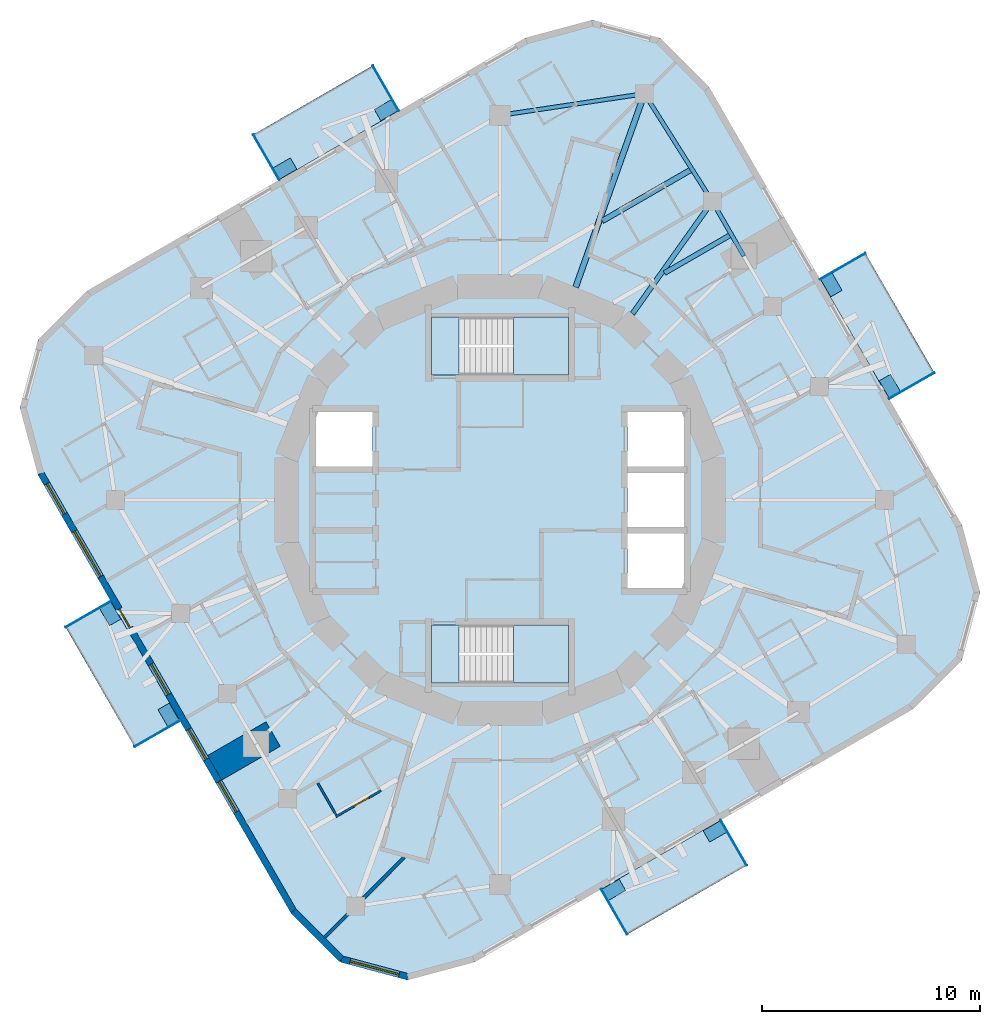
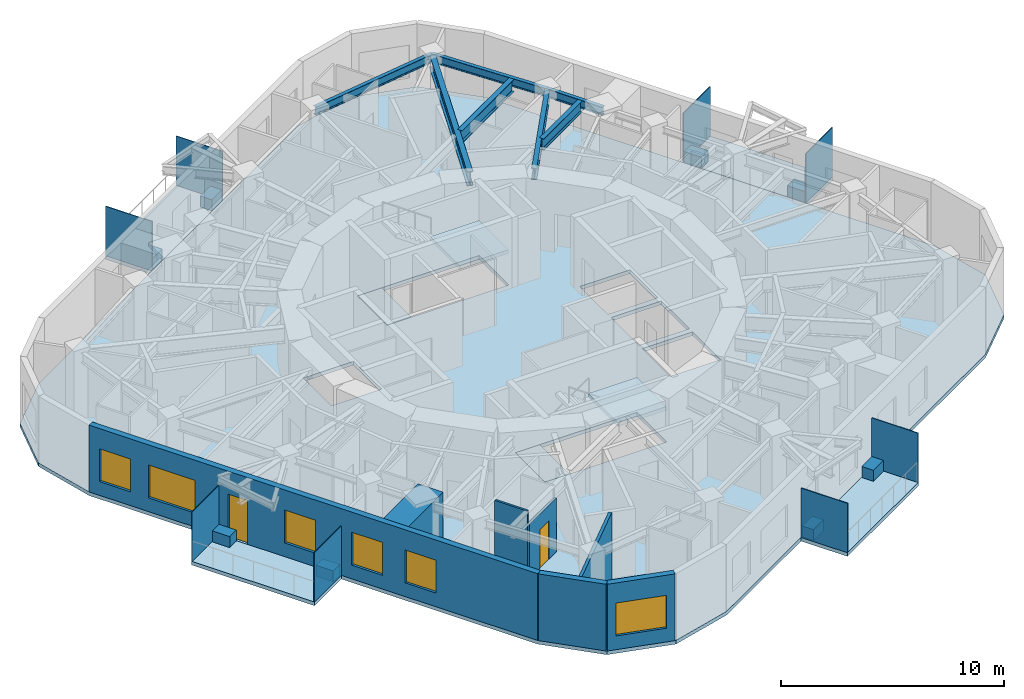
# One storey, part 3 of 11: 16 plates, 9 slabs, 7 beams, 7 walls, 6 windows, 2 doors, 8 openings, 2 elements without a shape of their own.
"""IFC4 building model written with IfcOpenShell, lengths in metres."""

from ifc_helpers import new_model, si_unit, direction, frame, frame_2d, origin, origin_2d, place, context, subcontext, project, spatial, polyline, rectangle, i_section, outline, extrude, material, layer, layer_set, material_profile, profile_set, type_object, element, fill, aggregate, save


model = new_model("IFC4")

# Units and contexts
model_context = context("Model", 3, precision=1e-05, world=origin(), true_north=direction((0.0, 1.0)))
body_context = subcontext(model_context, "Body", "Model", "MODEL_VIEW")
ifc_project = project(units=[si_unit("LENGTHUNIT", "METRE"), si_unit("AREAUNIT", "SQUARE_METRE"), si_unit("VOLUMEUNIT", "CUBIC_METRE"), si_unit("PLANEANGLEUNIT", "RADIAN"), si_unit("MASSUNIT", "GRAM", prefix="KILO")], contexts=[model_context])

# Site, building, storey
site_placement = place(None, origin())
site = spatial("IfcSite", under=ifc_project, at=site_placement, CompositionType="ELEMENT")
building_placement = place(site_placement, origin())
building = spatial("IfcBuilding", under=site, at=building_placement, Name="Nakasero Lantern House", CompositionType="ELEMENT")
storey_placement = place(building_placement, frame((0.0, 0.0, 250.050048828125)))
storey = spatial("IfcBuildingStorey", under=building, at=storey_placement, Name="L61", CompositionType="ELEMENT", Elevation=250.050048828125)

# Beams
ifc_material_1 = material(Name="Steel S355", Category="steel")
ifc_material_profile_1 = material_profile(ifc_material_1, i_section(OverallWidth=0.22900390625, OverallDepth=0.6123046875, WebThickness=0.011962890625, FlangeThickness=0.01953125, FilletRadius=0.0126953125, at=origin_2d()), Name="UB 610x229x125")
ifc_profile_set_1 = profile_set([ifc_material_profile_1], Name="Steel S355")
beam_type_1 = type_object("IfcBeamType", Name="Infill beam UB 610x229x125", PredefinedType="JOIST", material=ifc_profile_set_1)
beam_1_placement = place(storey_placement, frame((7.552001953125, 10.42236328125, 3.34375), z_axis=(0.866006607564, 0.500032554596, 0.0), x_axis=(-0.500032554596, 0.866006607564, 0.0)))
element("IfcBeam", 1, at=beam_1_placement, inside=storey, type_object=beam_type_1, Name="Infill beam L62 08.3", PredefinedType="JOIST", context=body_context, shape_type="SweptSolid", body=[
    extrude(i_section(OverallWidth=0.22900390625, OverallDepth=0.6123046875, WebThickness=0.011962890625, FlangeThickness=0.01953125, FilletRadius=0.0126953125, at=origin_2d()), origin(), (0.0, 0.0, 1.0), 3.452880859375),
])
ifc_material_2 = material(Name="Steel S355", Category="steel")
ifc_material_profile_2 = material_profile(ifc_material_2, i_section(OverallWidth=0.253662109375, OverallDepth=0.68359375, WebThickness=0.012451171875, FlangeThickness=0.01904296875, FilletRadius=0.01513671875, at=origin_2d()), Name="UB 686x254x140")
ifc_profile_set_2 = profile_set([ifc_material_profile_2], Name="Steel S355")
beam_type_2 = type_object("IfcBeamType", Name="Infill beam UB 686x254x140", PredefinedType="JOIST", material=ifc_profile_set_2)
beam_2_placement = place(storey_placement, frame((4.698486328125, 12.816162109375, 3.30810546875), z_axis=(0.866023347809, 0.500003561037, 0.0), x_axis=(-0.500003561037, 0.866023347809, 0.0)))
element("IfcBeam", 2, at=beam_2_placement, inside=storey, type_object=beam_type_2, Name="Infill beam L62 09.3", PredefinedType="JOIST", context=body_context, shape_type="SweptSolid", body=[
    extrude(i_section(OverallWidth=0.253662109375, OverallDepth=0.68359375, WebThickness=0.012451171875, FlangeThickness=0.01904296875, FilletRadius=0.01513671875, at=origin_2d()), origin(), (0.0, 0.0, 1.0), 4.6611328125),
])
ifc_material_3 = material(Name="Steel S355", Category="steel")
ifc_material_profile_3 = material_profile(ifc_material_3, i_section(OverallWidth=0.22900390625, OverallDepth=0.6123046875, WebThickness=0.011962890625, FlangeThickness=0.01953125, FilletRadius=0.0126953125, at=origin_2d()), Name="UB 610x229x125")
ifc_profile_set_3 = profile_set([ifc_material_profile_3], Name="Steel S355")
beam_type_3 = type_object("IfcBeamType", Name="Primary beam UB 610x229x125, span 6 to 9 m", PredefinedType="BEAM", material=ifc_profile_set_3)
beam_3_placement = place(storey_placement, frame((9.75048828125, 13.711669921875, 3.34375), z_axis=(-0.579504973637, -0.814968702178, 0.0), x_axis=(0.814968702178, -0.579504973637, 0.0)))
element("IfcBeam", 3, at=beam_3_placement, inside=storey, type_object=beam_type_3, Name="Primary beam L62 B6-C07", PredefinedType="BEAM", context=body_context, shape_type="SweptSolid", body=[
    extrude(i_section(OverallWidth=0.22900390625, OverallDepth=0.6123046875, WebThickness=0.011962890625, FlangeThickness=0.01953125, FilletRadius=0.0126953125, at=origin_2d()), origin(), (0.0, 0.0, 1.0), 6.320556640625),
])
ifc_material_4 = material(Name="Steel S355", Category="steel")
ifc_material_profile_4 = material_profile(ifc_material_4, i_section(OverallWidth=0.2666015625, OverallDepth=0.76220703125, WebThickness=0.014404296875, FlangeThickness=0.021484375, FilletRadius=0.0166015625, at=origin_2d()), Name="UB 762x267x173")
ifc_profile_set_4 = profile_set([ifc_material_profile_4], Name="Steel S355")
beam_type_4 = type_object("IfcBeamType", Name="Primary beam UB 762x267x173, span 9 to 12 m", PredefinedType="BEAM", material=ifc_profile_set_4)
beam_4_placement = place(storey_placement, frame((6.63525390625, 18.661376953125, 3.268798828125), z_axis=(-0.335006604588, -0.942215779364, 0.0), x_axis=(0.942215779364, -0.335006604588, 0.0)))
element("IfcBeam", 4, at=beam_4_placement, inside=storey, type_object=beam_type_4, Name="Primary beam L62 B6-C08", PredefinedType="BEAM", context=body_context, shape_type="SweptSolid", body=[
    extrude(i_section(OverallWidth=0.2666015625, OverallDepth=0.76220703125, WebThickness=0.014404296875, FlangeThickness=0.021484375, FilletRadius=0.0166015625, at=origin_2d()), origin(), (0.0, 0.0, 1.0), 9.4345703125),
])
ifc_material_5 = material(Name="Steel S355", Category="steel")
ifc_material_profile_5 = material_profile(ifc_material_5, i_section(OverallWidth=0.18994140625, OverallDepth=0.453369140625, WebThickness=0.008544921875, FlangeThickness=0.0126953125, FilletRadius=0.01025390625, at=origin_2d()), Name="UB 457x191x67")
ifc_profile_set_5 = profile_set([ifc_material_profile_5], Name="Steel S355")
beam_type_5 = type_object("IfcBeamType", Name="Ring beam UB 457x191x67", PredefinedType="BEAM", material=ifc_profile_set_5)
beam_5_placement = place(storey_placement, frame((9.75048828125, 13.711669921875, 3.42333984375), z_axis=(-0.532660471024, 0.846329027393, 0.0), x_axis=(-0.846329027393, -0.532660471024, 0.0)))
element("IfcBeam", 5, at=beam_5_placement, inside=storey, type_object=beam_type_5, Name="Ring beam L62 B6-C07", PredefinedType="BEAM", context=body_context, shape_type="SweptSolid", body=[
    extrude(i_section(OverallWidth=0.18994140625, OverallDepth=0.453369140625, WebThickness=0.008544921875, FlangeThickness=0.0126953125, FilletRadius=0.01025390625, at=origin_2d()), origin(), (0.0, 0.0, 1.0), 5.848388671875),
])
ifc_material_6 = material(Name="Steel S355", Category="steel")
ifc_material_profile_6 = material_profile(ifc_material_6, i_section(OverallWidth=0.19140625, OverallDepth=0.4599609375, WebThickness=0.010009765625, FlangeThickness=0.01611328125, FilletRadius=0.01025390625, at=origin_2d()), Name="UB 457x191x82")
ifc_profile_set_6 = profile_set([ifc_material_profile_6], Name="Steel S355")
beam_type_6 = type_object("IfcBeamType", Name="Ring beam UB 457x191x82", PredefinedType="BEAM", material=ifc_profile_set_6)
beam_6_placement = place(storey_placement, frame((11.200439453125, 11.200439453125, 3.419921875), z_axis=(-0.500023687443, 0.866011727401, 0.0), x_axis=(-0.866011727401, -0.500023687443, 0.0)))
element("IfcBeam", 6, at=beam_6_placement, inside=storey, type_object=beam_type_6, Name="Ring beam L62 B6-C06", PredefinedType="BEAM", context=body_context, shape_type="SweptSolid", body=[
    extrude(i_section(OverallWidth=0.19140625, OverallDepth=0.4599609375, WebThickness=0.010009765625, FlangeThickness=0.01611328125, FilletRadius=0.01025390625, at=origin_2d()), origin(), (0.0, 0.0, 1.0), 2.899658203125),
])
beam_7_placement = place(storey_placement, frame((6.63525390625, 18.661376953125, 3.419921875), z_axis=(-0.988956095107, -0.148208778253, 0.0), x_axis=(0.148208778253, -0.988956095107, 0.0)))
element("IfcBeam", 7, at=beam_7_placement, inside=storey, type_object=beam_type_6, Name="Ring beam L62 B6-C08", PredefinedType="BEAM", context=body_context, shape_type="SweptSolid", body=[
    extrude(i_section(OverallWidth=0.19140625, OverallDepth=0.4599609375, WebThickness=0.010009765625, FlangeThickness=0.01611328125, FilletRadius=0.01025390625, at=origin_2d()), origin(), (0.0, 0.0, 1.0), 6.70947265625),
])

# Plates
ifc_material_7 = material(Name="Aluminium 6063-T6", Category="aluminium")
ifc_layer_1 = layer(ifc_material_7, 0.60009765625)
ifc_layer_set_1 = layer_set([ifc_layer_1], Name="Balcony planter 600x900")
plate_type_1 = type_object("IfcPlateType", Name="Balcony planter 600x900", PredefinedType="USERDEFINED", material=ifc_layer_set_1)
for number, where, z_axis, x_axis, name in (
    (8, (17.901611328125, 5.2333984375, 0.0), (0.0, 0.0, 1.0), (0.866025403784, 0.5, 0.0), "Balcony PLANTER L61 BAL0A"),
    (9, (15.225830078125, 9.867919921875, 0.0), (0.0, 0.0, 1.0), (0.866025403784, 0.5, 0.0), "Balcony PLANTER L61 BAL0B"),
    (10, (-5.2333984375, 17.901611328125, 0.0), (0.0, 0.0, 1.0), (-0.5, 0.866025403784, 0.0), "Balcony PLANTER L61 BAL1A"),
    (11, (-9.867919921875, 15.225830078125, 0.0), (0.0, 0.0, 1.0), (-0.5, 0.866025403784, 0.0), "Balcony PLANTER L61 BAL1B"),
    (12, (-17.901611328125, -5.2333984375, 0.0), (0.0, 0.0, 1.0), (-0.866025403784, -0.5, 0.0), "Balcony PLANTER L61 BAL2A"),
    (13, (-15.225830078125, -9.867919921875, 0.0), (0.0, 0.0, 1.0), (-0.866025403784, -0.5, 0.0), "Balcony PLANTER L61 BAL2B"),
    (14, (5.2333984375, -17.901611328125, 0.0), (0.0, 0.0, 1.0), (0.5, -0.866025403784, 0.0), "Balcony PLANTER L61 BAL3A"),
    (15, (9.867919921875, -15.225830078125, 0.0), (0.0, 0.0, 1.0), (0.5, -0.866025403784, 0.0), "Balcony PLANTER L61 BAL3B"),
):
    element("IfcPlate", number, at=place(storey_placement, frame(where, z_axis=z_axis, x_axis=x_axis)), inside=storey, type_object=plate_type_1, Name=name, ObjectType="PLANTER", PredefinedType="USERDEFINED", context=body_context, shape_type="SweptSolid", body=[
        extrude(rectangle(XDim=0.60009765625, YDim=0.89990234375, at=origin_2d()), origin(), (0.0, 0.0, 1.0), 0.60009765625),
    ])
ifc_material_8 = material(Name="Aluminium 6063-T6", Category="aluminium")
ifc_layer_2 = layer(ifc_material_8, 0.0400390625)
ifc_layer_set_2 = layer_set([ifc_layer_2], Name="Balcony screen 2400x2700")
plate_type_2 = type_object("IfcPlateType", Name="Balcony screen 2400x2700", PredefinedType="SHEET", material=ifc_layer_set_2)
for number, where, z_axis, x_axis, name in (
    (16, (18.90869140625, 5.2490234375, 0.0), (0.0, 0.0, 1.0), (0.866025403784, 0.5, 0.0), "Balcony SCREEN L61 BAL0A"),
    (17, (15.7431640625, 10.732177734375, 0.0), (0.0, 0.0, 1.0), (0.866025403784, 0.5, 0.0), "Balcony SCREEN L61 BAL0B"),
    (18, (-5.2490234375, 18.90869140625, 0.0), (0.0, 0.0, 1.0), (-0.5, 0.866025403784, 0.0), "Balcony SCREEN L61 BAL1A"),
    (19, (-10.732177734375, 15.7431640625, 0.0), (0.0, 0.0, 1.0), (-0.5, 0.866025403784, 0.0), "Balcony SCREEN L61 BAL1B"),
    (20, (-18.90869140625, -5.2490234375, 0.0), (0.0, 0.0, 1.0), (-0.866025403784, -0.5, 0.0), "Balcony SCREEN L61 BAL2A"),
    (21, (-15.7431640625, -10.732177734375, 0.0), (0.0, 0.0, 1.0), (-0.866025403784, -0.5, 0.0), "Balcony SCREEN L61 BAL2B"),
    (22, (5.2490234375, -18.90869140625, 0.0), (0.0, 0.0, 1.0), (0.5, -0.866025403784, 0.0), "Balcony SCREEN L61 BAL3A"),
    (23, (10.732177734375, -15.7431640625, 0.0), (0.0, 0.0, 1.0), (0.5, -0.866025403784, 0.0), "Balcony SCREEN L61 BAL3B"),
):
    element("IfcPlate", number, at=place(storey_placement, frame(where, z_axis=z_axis, x_axis=x_axis)), inside=storey, type_object=plate_type_2, Name=name, PredefinedType="SHEET", context=body_context, shape_type="SweptSolid", body=[
        extrude(rectangle(XDim=2.39990234375, YDim=0.0400390625, at=origin_2d()), origin(), (0.0, 0.0, 1.0), 2.699951171875),
    ])

# Slabs
ifc_material_9 = material(Name="Concrete C35/45", Category="concrete")
ifc_layer_3 = layer(ifc_material_9, 0.199951171875)
ifc_layer_set_3 = layer_set([ifc_layer_3], Name="Balcony slab 200")
slab_type_1 = type_object("IfcSlabType", Name="Balcony slab 200", PredefinedType="USERDEFINED", material=ifc_layer_set_3)
slab_1_placement = place(storey_placement, frame((0.0, 0.0, -0.199951171875)))
element("IfcSlab", 24, at=slab_1_placement, inside=storey, type_object=slab_type_1, Name="Balcony L61 BAL0", ObjectType="BALCONY", PredefinedType="USERDEFINED", context=body_context, shape_type="SweptSolid", body=[
    extrude(outline(polyline([(17.879638671875, 4.6318359375), (19.9580078125, 5.831787109375), (16.772216796875, 11.349609375), (14.69384765625, 10.149658203125), (17.879638671875, 4.6318359375)])), origin(), (0.0, 0.0, 1.0), 0.199951171875),
])
slab_2_placement = place(storey_placement, frame((0.0, 0.0, -0.199951171875)))
element("IfcSlab", 25, at=slab_2_placement, inside=storey, type_object=slab_type_1, Name="Balcony L61 BAL1", ObjectType="BALCONY", PredefinedType="USERDEFINED", context=body_context, shape_type="SweptSolid", body=[
    extrude(outline(polyline([(-4.6318359375, 17.879638671875), (-5.831787109375, 19.9580078125), (-11.349609375, 16.772216796875), (-10.149658203125, 14.69384765625), (-4.6318359375, 17.879638671875)])), origin(), (0.0, 0.0, 1.0), 0.199951171875),
])
slab_3_placement = place(storey_placement, frame((0.0, 0.0, -0.199951171875)))
element("IfcSlab", 26, at=slab_3_placement, inside=storey, type_object=slab_type_1, Name="Balcony L61 BAL2", ObjectType="BALCONY", PredefinedType="USERDEFINED", context=body_context, shape_type="SweptSolid", body=[
    extrude(outline(polyline([(-17.879638671875, -4.6318359375), (-19.9580078125, -5.831787109375), (-16.772216796875, -11.349609375), (-14.69384765625, -10.149658203125), (-17.879638671875, -4.6318359375)])), origin(), (0.0, 0.0, 1.0), 0.199951171875),
])
slab_4_placement = place(storey_placement, frame((0.0, 0.0, -0.199951171875)))
element("IfcSlab", 27, at=slab_4_placement, inside=storey, type_object=slab_type_1, Name="Balcony L61 BAL3", ObjectType="BALCONY", PredefinedType="USERDEFINED", context=body_context, shape_type="SweptSolid", body=[
    extrude(outline(polyline([(4.6318359375, -17.879638671875), (5.831787109375, -19.9580078125), (11.349609375, -16.772216796875), (10.149658203125, -14.69384765625), (4.6318359375, -17.879638671875)])), origin(), (0.0, 0.0, 1.0), 0.199951171875),
])
ifc_material_10 = material(Name="Concrete C35/45", Category="concrete")
ifc_layer_4 = layer(ifc_material_10, 0.199951171875)
ifc_layer_set_4 = layer_set([ifc_layer_4], Name="Composite floor slab 200")
slab_type_2 = type_object("IfcSlabType", Name="Composite floor slab 200", PredefinedType="FLOOR", material=ifc_layer_set_4)
slab_5_placement = place(storey_placement, frame((0.0, 0.0, -0.199951171875)))
element("IfcSlab", 28, at=slab_5_placement, inside=storey, type_object=slab_type_2, Name="Floor slab L61", PredefinedType="FLOOR", context=body_context, shape_type="SweptSolid", body=[
    extrude(outline(polyline([(9.615234375, 18.94580078125), (7.345947265625, 21.21533203125), (4.245849609375, 22.0458984375), (1.14599609375, 21.21533203125), (-18.94580078125, 9.615234375), (-21.21533203125, 7.345947265625), (-22.0458984375, 4.245849609375), (-21.21533203125, 1.14599609375), (-9.615234375, -18.94580078125), (-7.345947265625, -21.21533203125), (-4.245849609375, -22.0458984375), (-1.14599609375, -21.21533203125), (18.94580078125, -9.615234375), (21.21533203125, -7.345947265625), (22.0458984375, -4.245849609375), (21.21533203125, -1.14599609375), (9.615234375, 18.94580078125)]), holes=[polyline([(-8.449951171875, 1.550048828125), (-5.85009765625, 1.550048828125), (-5.85009765625, 4.050048828125), (-8.449951171875, 4.050048828125), (-8.449951171875, 1.550048828125)]), polyline([(5.85009765625, -4.050048828125), (8.449951171875, -4.050048828125), (8.449951171875, -1.550048828125), (5.85009765625, -1.550048828125), (5.85009765625, -4.050048828125)]), polyline([(5.85009765625, -1.25), (8.449951171875, -1.25), (8.449951171875, 1.25), (5.85009765625, 1.25), (5.85009765625, -1.25)]), polyline([(5.85009765625, 1.550048828125), (8.449951171875, 1.550048828125), (8.449951171875, 4.050048828125), (5.85009765625, 4.050048828125), (5.85009765625, 1.550048828125)]), polyline([(-3.14990234375, 5.75), (3.14990234375, 5.75), (3.14990234375, 8.39990234375), (-3.14990234375, 8.39990234375), (-3.14990234375, 5.75)]), polyline([(-3.14990234375, -8.39990234375), (3.14990234375, -8.39990234375), (3.14990234375, -5.75), (-3.14990234375, -5.75), (-3.14990234375, -8.39990234375)])]), origin(), (0.0, 0.0, 1.0), 0.199951171875),
])

# Stair, slabs
ifc_material_11 = material(Name="Concrete C40/50", Category="concrete")
stair_type_1 = type_object("IfcStairType", Name="Escape stair ST1 22 risers", PredefinedType="HALF_TURN_STAIR", material=ifc_material_11)
stair_1_placement = place(storey_placement, origin())
stair_1 = element("IfcStair", 29, at=stair_1_placement, inside=storey, type_object=stair_type_1, Name="Escape stair ST1 L61", PredefinedType="HALF_TURN_STAIR")
ifc_material_12 = material(Name="Concrete C40/50", Category="concrete")
ifc_layer_5 = layer(ifc_material_12, 0.199951171875)
ifc_layer_set_5 = layer_set([ifc_layer_5], Name="Stair landing 200")
slab_type_3 = type_object("IfcSlabType", Name="Stair landing 200", PredefinedType="LANDING", material=ifc_layer_set_5)
slab_6_placement = place(storey_placement, frame((0.0, 0.0, -0.199951171875)))
slab_6 = element("IfcSlab", 30, at=slab_6_placement, type_object=slab_type_3, Name="ST1 landing 1", PredefinedType="LANDING", context=body_context, shape_type="SweptSolid", body=[
    extrude(outline(polyline([(-3.14990234375, 5.75), (-1.875, 5.75), (-1.875, 8.39990234375), (-3.14990234375, 8.39990234375), (-3.14990234375, 5.75)])), origin(), (0.0, 0.0, 1.0), 0.199951171875),
])
slab_7_placement = place(storey_placement, frame((0.0, 0.0, 1.724853515625)))
slab_7 = element("IfcSlab", 31, at=slab_7_placement, type_object=slab_type_3, Name="ST1 landing 2", PredefinedType="LANDING", context=body_context, shape_type="SweptSolid", body=[
    extrude(outline(polyline([(0.625, 5.75), (3.14990234375, 5.75), (3.14990234375, 8.39990234375), (0.625, 8.39990234375), (0.625, 5.75)])), origin(), (0.0, 0.0, 1.0), 0.2001953125),
])
aggregate(stair_1, [slab_6, slab_7])

ifc_material_13 = material(Name="Concrete C40/50", Category="concrete")
stair_type_2 = type_object("IfcStairType", Name="Escape stair ST2 22 risers", PredefinedType="HALF_TURN_STAIR", material=ifc_material_13)
stair_2_placement = place(storey_placement, origin())
stair_2 = element("IfcStair", 32, at=stair_2_placement, inside=storey, type_object=stair_type_2, Name="Escape stair ST2 L61", PredefinedType="HALF_TURN_STAIR")
slab_8_placement = place(storey_placement, frame((0.0, 0.0, -0.199951171875)))
slab_8 = element("IfcSlab", 33, at=slab_8_placement, type_object=slab_type_3, Name="ST2 landing 1", PredefinedType="LANDING", context=body_context, shape_type="SweptSolid", body=[
    extrude(outline(polyline([(-3.14990234375, -8.39990234375), (-1.875, -8.39990234375), (-1.875, -5.75), (-3.14990234375, -5.75), (-3.14990234375, -8.39990234375)])), origin(), (0.0, 0.0, 1.0), 0.199951171875),
])
slab_9_placement = place(storey_placement, frame((0.0, 0.0, 1.724853515625)))
slab_9 = element("IfcSlab", 34, at=slab_9_placement, type_object=slab_type_3, Name="ST2 landing 2", PredefinedType="LANDING", context=body_context, shape_type="SweptSolid", body=[
    extrude(outline(polyline([(0.625, -8.39990234375), (3.14990234375, -8.39990234375), (3.14990234375, -5.75), (0.625, -5.75), (0.625, -8.39990234375)])), origin(), (0.0, 0.0, 1.0), 0.2001953125),
])
aggregate(stair_2, [slab_8, slab_9])

# Wall
ifc_material_14 = material(Name="Blockwork", Category="masonry")
ifc_layer_6 = layer(ifc_material_14, 1.300048828125)
ifc_layer_set_6 = layer_set([ifc_layer_6], Name="Column pier 1300")
wall_type_1 = type_object("IfcWallType", Name="Column pier 1300", PredefinedType="PARTITIONING", material=ifc_layer_set_6)
wall_1_placement = place(storey_placement, frame((-10.4208984375, -10.75048828125, 0.0), z_axis=(0.0, 0.0, 1.0), x_axis=(-0.866063626216, -0.499933790963, 0.0)))
element("IfcWall", 35, at=wall_1_placement, inside=storey, type_object=wall_type_1, Name="Column pier L61 PN2-05", PredefinedType="PARTITIONING", context=body_context, shape_type="SweptSolid", body=[
    extrude(rectangle(XDim=3.10009765625, YDim=1.300048828125, at=frame_2d((1.550048828125, 0.0))), origin(), (0.0, 0.0, 1.0), 3.64990234375),
])

# Wall, opening, door
ifc_material_15 = material(Name="Blockwork", Category="masonry")
ifc_layer_7 = layer(ifc_material_15, 0.10009765625)
ifc_layer_set_7 = layer_set([ifc_layer_7], Name="En-suite wall 100")
wall_type_2 = type_object("IfcWallType", Name="En-suite wall 100", PredefinedType="PARTITIONING", material=ifc_layer_set_7)
wall_2_placement = place(storey_placement, frame((-5.46044921875, -13.342041015625, 0.0), z_axis=(0.0, 0.0, 1.0), x_axis=(-0.866006032174, -0.500033551112, 0.0)))
wall_2 = element("IfcWall", 36, at=wall_2_placement, inside=storey, type_object=wall_type_2, Name="En-suite wall L61 ES2-06", PredefinedType="PARTITIONING", context=body_context, shape_type="SweptSolid", body=[
    extrude(rectangle(XDim=2.400146484375, YDim=0.10009765625, at=frame_2d((1.2001953125, 0.0))), origin(), (0.0, 0.0, 1.0), 2.966552734375),
])
opening_1_placement = place(wall_2_placement, frame((0.64990234375, 0.0, 0.0)))
opening_1 = element("IfcOpeningElement", 37, at=opening_1_placement, cuts=wall_2, Name="Opening D02", PredefinedType="OPENING", context=body_context, shape_type="SweptSolid", body=[
    extrude(rectangle(XDim=0.800048828125, YDim=2.10009765625, at=frame_2d((0.39990234375, 1.050048828125))), frame((0.0, 0.070068359375, 0.0), z_axis=(0.0, -1.0, 0.0), x_axis=(1.0, 0.0, 0.0)), (0.0, 0.0, 1.0), 0.14013671875),
])
ifc_material_16 = material(Name="Timber C24", Category="wood")
door_type_1 = type_object("IfcDoorType", Name="En-suite door 800", OperationType="SINGLE_SWING_RIGHT", PredefinedType="DOOR", material=ifc_material_16)
door_1_placement = place(opening_1_placement, origin())
door_1 = element("IfcDoor", 38, at=door_1_placement, inside=storey, type_object=door_type_1, Name="Door L61 DE2-06", OperationType="SINGLE_SWING_LEFT", OverallHeight=2.10009765625, OverallWidth=0.800048828125, PredefinedType="DOOR", context=body_context, shape_type="SweptSolid", body=[
    extrude(rectangle(XDim=0.800048828125, YDim=2.10009765625, at=frame_2d((0.39990234375, 1.050048828125))), frame((0.0, 0.02490234375, 0.0), z_axis=(0.0, -1.0, 0.0), x_axis=(1.0, 0.0, 0.0)), (0.0, 0.0, 1.0), 0.050048828125),
])
fill(opening_1, door_1)

# Wall
wall_3_placement = place(storey_placement, frame((-8.37060546875, -13.001708984375, 0.0), z_axis=(0.0, 0.0, 1.0), x_axis=(0.499954529098, -0.86605165483, 0.0)))
element("IfcWall", 39, at=wall_3_placement, inside=storey, type_object=wall_type_2, Name="En-suite wall L61 EE2-06", PredefinedType="PARTITIONING", context=body_context, shape_type="SweptSolid", body=[
    extrude(rectangle(XDim=1.699951171875, YDim=0.10009765625, at=frame_2d((0.85009765625, 0.0))), origin(), (0.0, 0.0, 1.0), 3.64990234375),
])

# Wall, openings, door, windows
ifc_material_17 = material(Name="Aluminium rainscreen on blockwork", Category="masonry")
ifc_layer_8 = layer(ifc_material_17, 0.300048828125)
ifc_layer_set_8 = layer_set([ifc_layer_8], Name="Facade wall 300")
wall_type_3 = type_object("IfcWallType", Name="Facade wall 300", PredefinedType="SOLIDWALL", material=ifc_layer_set_8)
wall_4_placement = place(storey_placement, frame((-21.08544921875, 1.220947265625, 0.0), z_axis=(0.0, 0.0, 1.0), x_axis=(0.500003016864, -0.86602366199, 0.0)))
wall_4 = element("IfcWall", 40, at=wall_4_placement, inside=storey, type_object=wall_type_3, Name="Facade wall L61 FW2S", PredefinedType="SOLIDWALL", context=body_context, shape_type="SweptSolid", body=[
    extrude(rectangle(XDim=23.199951171875, YDim=0.300048828125, at=frame_2d((11.60009765625, 0.0))), origin(), (0.0, 0.0, 1.0), 3.64990234375),
])
opening_2_placement = place(wall_4_placement, frame((0.5458984375, 0.0, 0.75)))
opening_2 = element("IfcOpeningElement", 41, at=opening_2_placement, cuts=wall_4, Name="Opening W01", PredefinedType="OPENING", context=body_context, shape_type="SweptSolid", body=[
    extrude(rectangle(XDim=1.60009765625, YDim=1.800048828125, at=frame_2d((0.800048828125, 0.89990234375))), frame((0.0, 0.169921875, 0.0), z_axis=(0.0, -1.0, 0.0), x_axis=(1.0, 0.0, 0.0)), (0.0, 0.0, 1.0), 0.340087890625),
])
opening_3_placement = place(wall_4_placement, frame((10.11767578125, 0.0, 0.75)))
opening_3 = element("IfcOpeningElement", 42, at=opening_3_placement, cuts=wall_4, Name="Opening W01", PredefinedType="OPENING", context=body_context, shape_type="SweptSolid", body=[
    extrude(rectangle(XDim=1.60009765625, YDim=1.800048828125, at=frame_2d((0.800048828125, 0.89990234375))), frame((0.0, 0.169921875, 0.0), z_axis=(0.0, -1.0, 0.0), x_axis=(1.0, 0.0, 0.0)), (0.0, 0.0, 1.0), 0.340087890625),
])
opening_4_placement = place(wall_4_placement, frame((13.5751953125, 0.0, 0.75)))
opening_4 = element("IfcOpeningElement", 43, at=opening_4_placement, cuts=wall_4, Name="Opening W01", PredefinedType="OPENING", context=body_context, shape_type="SweptSolid", body=[
    extrude(rectangle(XDim=1.60009765625, YDim=1.800048828125, at=frame_2d((0.800048828125, 0.89990234375))), frame((0.0, 0.169921875, 0.0), z_axis=(0.0, -1.0, 0.0), x_axis=(1.0, 0.0, 0.0)), (0.0, 0.0, 1.0), 0.340087890625),
])
opening_5_placement = place(wall_4_placement, frame((16.349609375, 0.0, 0.75)))
opening_5 = element("IfcOpeningElement", 44, at=opening_5_placement, cuts=wall_4, Name="Opening W01", PredefinedType="OPENING", context=body_context, shape_type="SweptSolid", body=[
    extrude(rectangle(XDim=1.60009765625, YDim=1.800048828125, at=frame_2d((0.800048828125, 0.89990234375))), frame((0.0, 0.169921875, 0.0), z_axis=(0.0, -1.0, 0.0), x_axis=(1.0, 0.0, 0.0)), (0.0, 0.0, 1.0), 0.340087890625),
])
opening_6_placement = place(wall_4_placement, frame((3.071044921875, 0.0, 0.75)))
opening_6 = element("IfcOpeningElement", 45, at=opening_6_placement, cuts=wall_4, Name="Opening W03", PredefinedType="OPENING", context=body_context, shape_type="SweptSolid", body=[
    extrude(rectangle(XDim=2.39990234375, YDim=1.800048828125, at=frame_2d((1.199951171875, 0.89990234375))), frame((0.0, 0.169921875, 0.0), z_axis=(0.0, -1.0, 0.0), x_axis=(1.0, 0.0, 0.0)), (0.0, 0.0, 1.0), 0.340087890625),
])
opening_7_placement = place(wall_4_placement, frame((7.1904296875, 0.0, 0.0)))
opening_7 = element("IfcOpeningElement", 46, at=opening_7_placement, cuts=wall_4, Name="Opening D04", PredefinedType="OPENING", context=body_context, shape_type="SweptSolid", body=[
    extrude(rectangle(XDim=1.0, YDim=2.39990234375, at=frame_2d((0.5, 1.199951171875))), frame((0.0, 0.169921875, 0.0), z_axis=(0.0, -1.0, 0.0), x_axis=(1.0, 0.0, 0.0)), (0.0, 0.0, 1.0), 0.340087890625),
])
ifc_material_18 = material(Name="Aluminium 6063-T6 and glass", Category="aluminium")
door_type_2 = type_object("IfcDoorType", Name="Balcony door 1000x2400", OperationType="SINGLE_SWING_RIGHT", PredefinedType="DOOR", material=ifc_material_18)
door_2_placement = place(opening_7_placement, origin())
door_2 = element("IfcDoor", 47, at=door_2_placement, inside=storey, type_object=door_type_2, Name="Balcony door L61 DB2", OperationType="SINGLE_SWING_RIGHT", OverallHeight=2.39990234375, OverallWidth=1.0, PredefinedType="DOOR", context=body_context, shape_type="SweptSolid", body=[
    extrude(rectangle(XDim=1.0, YDim=2.39990234375, at=frame_2d((0.5, 1.199951171875))), frame((0.0, 0.02490234375, 0.0), z_axis=(0.0, -1.0, 0.0), x_axis=(1.0, 0.0, 0.0)), (0.0, 0.0, 1.0), 0.050048828125),
])
fill(opening_7, door_2)
ifc_material_19 = material(Name="Aluminium 6063-T6 and glass", Category="aluminium")
window_type_1 = type_object("IfcWindowType", Name="Bedroom window 1600x1800", PartitioningType="SINGLE_PANEL", PredefinedType="WINDOW", material=ifc_material_19)
window_1_placement = place(opening_2_placement, origin())
window_1 = element("IfcWindow", 48, at=window_1_placement, inside=storey, type_object=window_type_1, Name="Window L61 WN2-00", OverallHeight=1.800048828125, OverallWidth=1.60009765625, PartitioningType="SINGLE_PANEL", PredefinedType="WINDOW", context=body_context, shape_type="SweptSolid", body=[
    extrude(rectangle(XDim=1.60009765625, YDim=1.800048828125, at=frame_2d((0.800048828125, 0.89990234375))), frame((0.0, 0.030029296875, 0.0), z_axis=(0.0, -1.0, 0.0), x_axis=(1.0, 0.0, 0.0)), (0.0, 0.0, 1.0), 0.06005859375),
])
fill(opening_2, window_1)
window_2_placement = place(opening_3_placement, origin())
window_2 = element("IfcWindow", 49, at=window_2_placement, inside=storey, type_object=window_type_1, Name="Window L61 WN2-03", OverallHeight=1.800048828125, OverallWidth=1.60009765625, PartitioningType="SINGLE_PANEL", PredefinedType="WINDOW", context=body_context, shape_type="SweptSolid", body=[
    extrude(rectangle(XDim=1.60009765625, YDim=1.800048828125, at=frame_2d((0.800048828125, 0.89990234375))), frame((0.0, 0.030029296875, 0.0), z_axis=(0.0, -1.0, 0.0), x_axis=(1.0, 0.0, 0.0)), (0.0, 0.0, 1.0), 0.06005859375),
])
fill(opening_3, window_2)
window_3_placement = place(opening_4_placement, origin())
window_3 = element("IfcWindow", 50, at=window_3_placement, inside=storey, type_object=window_type_1, Name="Window L61 WN2-04", OverallHeight=1.800048828125, OverallWidth=1.60009765625, PartitioningType="SINGLE_PANEL", PredefinedType="WINDOW", context=body_context, shape_type="SweptSolid", body=[
    extrude(rectangle(XDim=1.60009765625, YDim=1.800048828125, at=frame_2d((0.800048828125, 0.89990234375))), frame((0.0, 0.030029296875, 0.0), z_axis=(0.0, -1.0, 0.0), x_axis=(1.0, 0.0, 0.0)), (0.0, 0.0, 1.0), 0.06005859375),
])
fill(opening_4, window_3)
window_4_placement = place(opening_5_placement, origin())
window_4 = element("IfcWindow", 51, at=window_4_placement, inside=storey, type_object=window_type_1, Name="Window L61 WN2-05", OverallHeight=1.800048828125, OverallWidth=1.60009765625, PartitioningType="SINGLE_PANEL", PredefinedType="WINDOW", context=body_context, shape_type="SweptSolid", body=[
    extrude(rectangle(XDim=1.60009765625, YDim=1.800048828125, at=frame_2d((0.800048828125, 0.89990234375))), frame((0.0, 0.030029296875, 0.0), z_axis=(0.0, -1.0, 0.0), x_axis=(1.0, 0.0, 0.0)), (0.0, 0.0, 1.0), 0.06005859375),
])
fill(opening_5, window_4)
ifc_material_20 = material(Name="Aluminium 6063-T6 and glass", Category="aluminium")
window_type_2 = type_object("IfcWindowType", Name="Lounge window 2400x1800", PartitioningType="SINGLE_PANEL", PredefinedType="WINDOW", material=ifc_material_20)
window_5_placement = place(opening_6_placement, origin())
window_5 = element("IfcWindow", 52, at=window_5_placement, inside=storey, type_object=window_type_2, Name="Window L61 WK2", OverallHeight=1.800048828125, OverallWidth=2.39990234375, PartitioningType="SINGLE_PANEL", PredefinedType="WINDOW", context=body_context, shape_type="SweptSolid", body=[
    extrude(rectangle(XDim=2.39990234375, YDim=1.800048828125, at=frame_2d((1.199951171875, 0.89990234375))), frame((0.0, 0.030029296875, 0.0), z_axis=(0.0, -1.0, 0.0), x_axis=(1.0, 0.0, 0.0)), (0.0, 0.0, 1.0), 0.06005859375),
])
fill(opening_6, window_5)

# Wall
wall_5_placement = place(storey_placement, frame((-9.4853515625, -18.870849609375, 0.0), z_axis=(0.0, 0.0, 1.0), x_axis=(0.707067801733, -0.707145758492, 0.0)))
element("IfcWall", 53, at=wall_5_placement, inside=storey, type_object=wall_type_3, Name="Facade wall L61 FW2C1", PredefinedType="SOLIDWALL", context=body_context, shape_type="SweptSolid", body=[
    extrude(rectangle(XDim=3.1318359375, YDim=0.300048828125, at=frame_2d((1.56591796875, 0.0))), origin(), (0.0, 0.0, 1.0), 3.64990234375),
])

# Wall, opening, window
wall_6_placement = place(storey_placement, frame((-7.27099609375, -21.08544921875, 0.0), z_axis=(0.0, 0.0, 1.0), x_axis=(0.965928914048, -0.258807521156, 0.0)))
wall_6 = element("IfcWall", 54, at=wall_6_placement, inside=storey, type_object=wall_type_3, Name="Facade wall L61 FW2C2", PredefinedType="SOLIDWALL", context=body_context, shape_type="SweptSolid", body=[
    extrude(rectangle(XDim=3.1318359375, YDim=0.300048828125, at=frame_2d((1.56591796875, 0.0))), origin(), (0.0, 0.0, 1.0), 3.64990234375),
])
opening_8_placement = place(wall_6_placement, frame((0.39990234375, 0.0, 0.75)))
opening_8 = element("IfcOpeningElement", 55, at=opening_8_placement, cuts=wall_6, Name="Opening W223", PredefinedType="OPENING", context=body_context, shape_type="SweptSolid", body=[
    extrude(rectangle(XDim=2.33203125, YDim=1.800048828125, at=frame_2d((1.166015625, 0.89990234375))), frame((0.0, 0.169921875, 0.0), z_axis=(0.0, -1.0, 0.0), x_axis=(1.0, 0.0, 0.0)), (0.0, 0.0, 1.0), 0.340087890625),
])
ifc_material_21 = material(Name="Aluminium 6063-T6 and glass", Category="aluminium")
window_type_3 = type_object("IfcWindowType", Name="Corner window 2332x1800", PartitioningType="SINGLE_PANEL", PredefinedType="WINDOW", material=ifc_material_21)
window_6_placement = place(opening_8_placement, origin())
window_6 = element("IfcWindow", 56, at=window_6_placement, inside=storey, type_object=window_type_3, Name="Window L61 WC2", OverallHeight=1.800048828125, OverallWidth=2.33203125, PartitioningType="SINGLE_PANEL", PredefinedType="WINDOW", context=body_context, shape_type="SweptSolid", body=[
    extrude(rectangle(XDim=2.33203125, YDim=1.800048828125, at=frame_2d((1.166015625, 0.89990234375))), frame((0.0, 0.030029296875, 0.0), z_axis=(0.0, -1.0, 0.0), x_axis=(1.0, 0.0, 0.0)), (0.0, 0.0, 1.0), 0.06005859375),
])
fill(opening_8, window_6)

# Wall
ifc_material_22 = material(Name="Blockwork", Category="masonry")
ifc_layer_9 = layer(ifc_material_22, 0.14990234375)
ifc_layer_set_9 = layer_set([ifc_layer_9], Name="Party wall 150")
wall_type_4 = type_object("IfcWallType", Name="Party wall 150", PredefinedType="PARTITIONING", material=ifc_layer_set_9)
wall_7_placement = place(storey_placement, frame((-4.3984375, -16.414794921875, 0.0), z_axis=(0.0, 0.0, 1.0), x_axis=(-0.705549334897, -0.708660804635, 0.0)))
element("IfcWall", 57, at=wall_7_placement, inside=storey, type_object=wall_type_4, Name="Party wall L61 PW3-00", PredefinedType="PARTITIONING", context=body_context, shape_type="SweptSolid", body=[
    extrude(rectangle(XDim=5.1787109375, YDim=0.14990234375, at=frame_2d((2.58935546875, 0.0))), origin(), (0.0, 0.0, 1.0), 3.64990234375),
])

save(model, "model.ifc")
